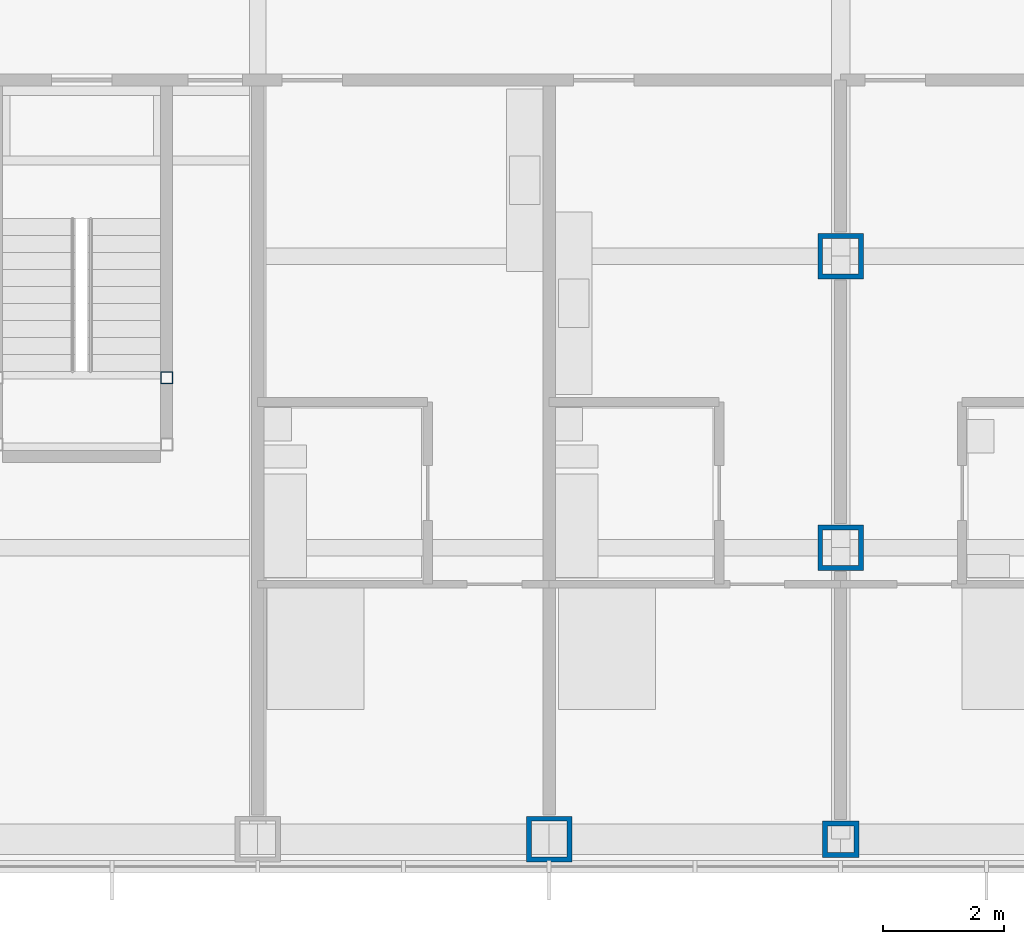
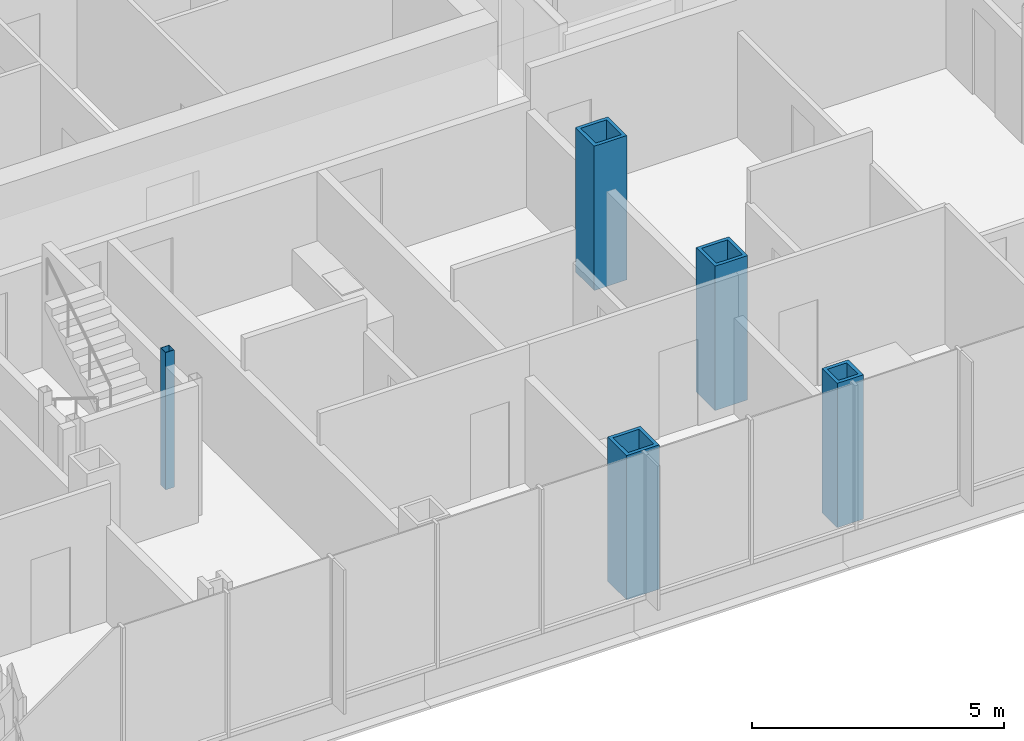
# One storey, part 2 of 21: 5 columns.
"""IFC4 building model written with IfcOpenShell, lengths in metres."""

from ifc_helpers import new_model, si_unit, direction, frame, origin, origin_2d, place, context, subcontext, project, spatial, hollow_rectangle, extrude, material, material_profile, profile_set, type_object, element, save


model = new_model("IFC4")

# Units and contexts
model_context = context("Model", 3, precision=1e-05, world=origin(), true_north=direction((0.0, 1.0)))
body_context = subcontext(model_context, "Body", "Model", "MODEL_VIEW")
ifc_project = project(units=[si_unit("LENGTHUNIT", "METRE"), si_unit("AREAUNIT", "SQUARE_METRE"), si_unit("VOLUMEUNIT", "CUBIC_METRE"), si_unit("PLANEANGLEUNIT", "RADIAN"), si_unit("MASSUNIT", "GRAM", prefix="KILO")], contexts=[model_context])

# Site, building, storey
site_placement = place(None, origin())
site = spatial("IfcSite", under=ifc_project, at=site_placement, CompositionType="ELEMENT")
building_placement = place(site_placement, origin())
building = spatial("IfcBuilding", under=site, at=building_placement, Name="Kvirike Care Tower", CompositionType="ELEMENT")
storey_placement = place(building_placement, frame((0.0, 0.0, 55.0)))
storey = spatial("IfcBuildingStorey", under=building, at=storey_placement, Name="L14", CompositionType="ELEMENT", Elevation=55.0)

# Columns
ifc_material_1 = material(Name="Steel S460", Category="steel")
ifc_material_profile_1 = material_profile(ifc_material_1, hollow_rectangle(XDim=0.60009765625, YDim=0.60009765625, WallThickness=0.080078125, at=origin_2d()), Name="BX 600x600x80")
ifc_profile_set_1 = profile_set([ifc_material_profile_1], Name="Steel S460")
column_type_1 = type_object("IfcColumnType", Name="COLUMN BX 600x600x80", PredefinedType="COLUMN", material=ifc_profile_set_1)
column_1_placement = place(storey_placement, frame((28.800048828125, 14.39990234375, 0.0), z_axis=(0.0, 0.0, 1.0), x_axis=(0.0, 1.0, 0.0)))
element("IfcColumn", 1, at=column_1_placement, inside=storey, type_object=column_type_1, Name="Column D9 L14", PredefinedType="COLUMN", context=body_context, shape_type="SweptSolid", body=[
    extrude(hollow_rectangle(XDim=0.60009765625, YDim=0.60009765625, WallThickness=0.080078125, at=origin_2d()), origin(), (0.0, 0.0, 1.0), 3.5),
])
ifc_material_2 = material(Name="Steel S460", Category="steel")
ifc_material_profile_2 = material_profile(ifc_material_2, hollow_rectangle(XDim=0.75, YDim=0.75, WallThickness=0.080078125, at=origin_2d()), Name="BX 750x750x80")
ifc_profile_set_2 = profile_set([ifc_material_profile_2], Name="Steel S460")
column_type_2 = type_object("IfcColumnType", Name="COLUMN BX 750x750x80", PredefinedType="COLUMN", material=ifc_profile_set_2)
for number, where, z_axis, x_axis, name in (
    (2, (24.0, 14.39990234375, 0.0), (0.0, 0.0, 1.0), (0.0, 1.0, 0.0), "Column D8 L14"),
    (3, (28.800048828125, 19.199951171875, 0.0), (0.0, 0.0, 1.0), (1.0, 0.0, 0.0), "Column E9 L14"),
    (4, (28.800048828125, 24.0, 0.0), (0.0, 0.0, 1.0), (1.0, 0.0, 0.0), "Column F9 L14"),
):
    element("IfcColumn", number, at=place(storey_placement, frame(where, z_axis=z_axis, x_axis=x_axis)), inside=storey, type_object=column_type_2, Name=name, PredefinedType="COLUMN", context=body_context, shape_type="SweptSolid", body=[
        extrude(hollow_rectangle(XDim=0.75, YDim=0.75, WallThickness=0.080078125, at=origin_2d()), origin(), (0.0, 0.0, 1.0), 3.5),
    ])
ifc_material_3 = material(Name="Steel S460", Category="steel")
ifc_material_profile_3 = material_profile(ifc_material_3, hollow_rectangle(XDim=0.199951171875, YDim=0.199951171875, WallThickness=0.008056640625, at=origin_2d()), Name="SHS 200x200x8")
ifc_profile_set_3 = profile_set([ifc_material_profile_3], Name="Steel S460")
column_type_3 = type_object("IfcColumnType", Name="STAIR POST SHS 200x200x8", PredefinedType="COLUMN", material=ifc_profile_set_3)
column_2_placement = place(storey_placement, frame((17.699951171875, 22.0, 0.0), z_axis=(0.0, 0.0, 1.0), x_axis=(1.0, 0.0, 0.0)))
element("IfcColumn", 5, at=column_2_placement, inside=storey, type_object=column_type_3, Name="Stair 5 post 4 L14", PredefinedType="COLUMN", context=body_context, shape_type="SweptSolid", body=[
    extrude(hollow_rectangle(XDim=0.199951171875, YDim=0.199951171875, WallThickness=0.008056640625, at=origin_2d()), origin(), (0.0, 0.0, 1.0), 3.330078125),
])

save(model, "model.ifc")
